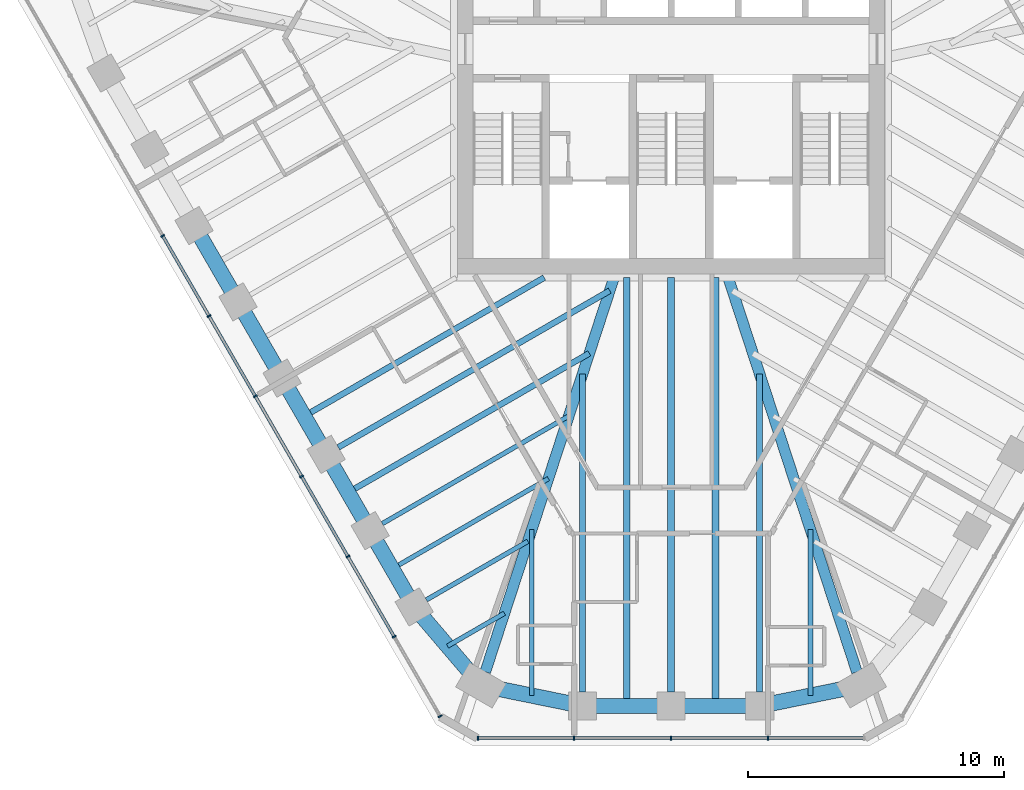
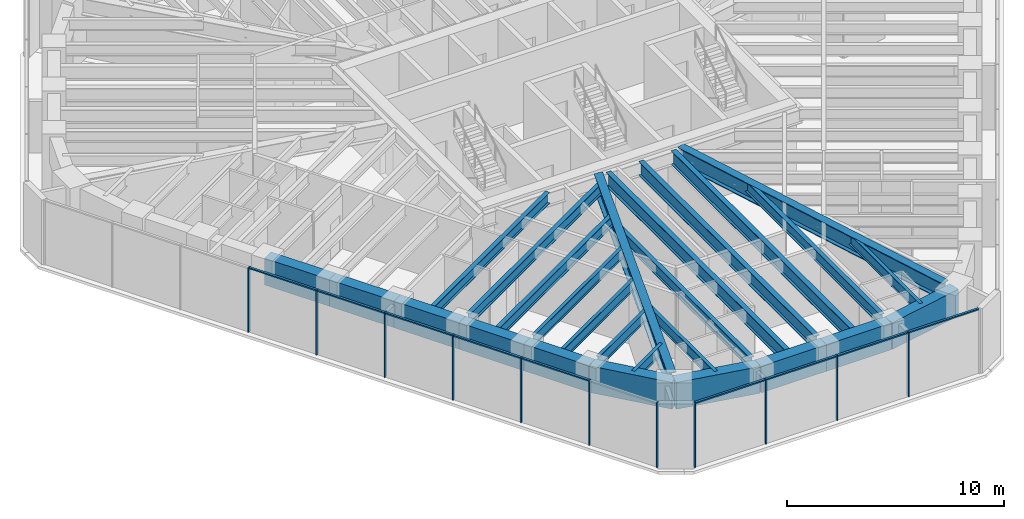
# One storey, part 2 of 14: 26 beams, 20 members, 2 elements without a shape of their own.
"""IFC4 building model written with IfcOpenShell, lengths in metres."""

import ifcopenshell
import ifcopenshell.guid

model = None  # the IFC model being written
_history = None  # IfcOwnerHistory: only IFC2X3 demands one
_inside = {}  # id of a spatial element -> (the spatial element, [elements in it])
_under = {}  # id of a project, library or spatial element -> (it, [spatial elements below it])
_declared = {}  # id of a project -> (the project, [libraries it declares])
_typed = {}  # id of a type object -> (the type object, [elements of that type])
_made_of = {}  # id of a material, layer set ... -> (it, [elements and type objects made of it])


def new_model(schema):
    """Start an empty IFC model of exactly this schema.

    Asked for "IFC4X3", IfcOpenShell would pick the latest addendum, in which some entities
    have other attributes; the version numbers below select the first issue.
    IFC2X3 requires an IfcOwnerHistory on every rooted entity: one is made here for all.
    """
    global model, _history
    if schema == "IFC4X3":
        model = ifcopenshell.file(schema_version=(4, 3, 0, 0))
    else:
        model = ifcopenshell.file(schema=schema)
    _inside.clear()
    _under.clear()
    _declared.clear()
    _typed.clear()
    _made_of.clear()
    _history = None
    if model.schema == "IFC2X3":
        org = make("IfcOrganization", Name="unknown")
        user = make(
            "IfcPersonAndOrganization",
            ThePerson=make("IfcPerson", FamilyName="unknown"),
            TheOrganization=org,
        )
        app = make(
            "IfcApplication",
            ApplicationDeveloper=org,
            Version="unknown",
            ApplicationFullName="unknown",
            ApplicationIdentifier="unknown",
        )
        _history = make(
            "IfcOwnerHistory",
            OwningUser=user,
            OwningApplication=app,
            ChangeAction="ADDED",
            CreationDate=0,
        )
    return model


def make(cls, **values):
    """One entity of the class cls with the attributes given. An attribute that is None is left unset."""
    return model.create_entity(
        cls, **{name: value for name, value in values.items() if value is not None}
    )


def rooted(cls, **values):
    """An entity with a GlobalId (a new one), such as an element, a storey or a relation."""
    return make(cls, GlobalId=ifcopenshell.guid.new(), OwnerHistory=_history, **values)


def si_unit(unit_type, name, prefix=None):
    """IfcSIUnit, for example si_unit("LENGTHUNIT", "METRE", prefix="MILLI")."""
    return make("IfcSIUnit", UnitType=unit_type, Prefix=prefix, Name=name)


def assignment(units):
    """IfcUnitAssignment: the units of a project."""
    return None if units is None else make("IfcUnitAssignment", Units=units)


def point(xyz):
    """IfcCartesianPoint."""
    return None if xyz is None else make("IfcCartesianPoint", Coordinates=xyz)


def direction(xyz):
    """IfcDirection."""
    return None if xyz is None else make("IfcDirection", DirectionRatios=xyz)


def frame(location, z_axis=None, x_axis=None):
    """IfcAxis2Placement3D, a coordinate frame: its origin and axes. An axis left out is left unset."""
    return make(
        "IfcAxis2Placement3D",
        Location=point(location),
        Axis=direction(z_axis),
        RefDirection=direction(x_axis),
    )


def frame_2d(location, x_axis=None):
    """IfcAxis2Placement2D, a coordinate frame in the plane: its origin and x axis."""
    return make(
        "IfcAxis2Placement2D", Location=point(location), RefDirection=direction(x_axis)
    )


def origin():
    """The frame at (0, 0, 0) with its axes left unset."""
    return frame((0.0, 0.0, 0.0))


def origin_2d():
    """The frame at (0, 0) in the plane with its x axis left unset."""
    return frame_2d((0.0, 0.0))


def place(relative_to, where):
    """IfcLocalPlacement: puts the frame where relative to a parent placement (None: the world)."""
    return make(
        "IfcLocalPlacement", PlacementRelTo=relative_to, RelativePlacement=where
    )


def context(
    kind, dimensions, precision=None, world=None, true_north=None, identifier=None
):
    """IfcGeometricRepresentationContext, for example the 3D "Model" context."""
    return make(
        "IfcGeometricRepresentationContext",
        ContextIdentifier=identifier,
        ContextType=kind,
        CoordinateSpaceDimension=dimensions,
        Precision=precision,
        WorldCoordinateSystem=world,
        TrueNorth=true_north,
    )


def subcontext(parent, identifier, kind, view, scale=None):
    """IfcGeometricRepresentationSubContext, for example "Body" below "Model"."""
    return make(
        "IfcGeometricRepresentationSubContext",
        ContextIdentifier=identifier,
        ContextType=kind,
        ParentContext=parent,
        TargetScale=scale,
        TargetView=view,
    )


def project(units=None, contexts=None):
    """IfcProject with its units and contexts."""
    return rooted(
        "IfcProject",
        Name="project",
        RepresentationContexts=contexts,
        UnitsInContext=assignment(units),
    )


def spatial(cls, under=None, at=None, **own):
    """A site, building, storey or space (cls), placed at a placement, below another one or the project."""
    s = rooted(cls, ObjectPlacement=at, **own)
    if under is not None:
        _under.setdefault(under.id(), (under, []))[1].append(s)
    return s


def profile(cls, at=None, kind="AREA", **sizes):
    """A parametric profile (cls). Its sizes go by their IFC names, for example OverallWidth=200.0."""
    return make(cls, ProfileType=kind, Position=at, **sizes)


def rectangle(**sizes):
    """IfcRectangleProfileDef."""
    return profile("IfcRectangleProfileDef", **sizes)


def i_section(**sizes):
    """IfcIShapeProfileDef."""
    return profile("IfcIShapeProfileDef", **sizes)


def extrude(swept, where, along, depth):
    """IfcExtrudedAreaSolid: the profile swept, set in the frame where, extruded along a direction by depth."""
    return make(
        "IfcExtrudedAreaSolid",
        SweptArea=swept,
        Position=where,
        ExtrudedDirection=direction(along),
        Depth=depth,
    )


def shape(context_of_items, identifier, shape_type, items):
    """IfcShapeRepresentation: the items that make up one representation, for example the "Body"."""
    return make(
        "IfcShapeRepresentation",
        ContextOfItems=context_of_items,
        RepresentationIdentifier=identifier,
        RepresentationType=shape_type,
        Items=items,
    )


def material(Name=None, Category=None):
    """IfcMaterial."""
    return make("IfcMaterial", Name=Name, Category=Category)


def material_profile(
    of_material, cross_section, Name=None, Category=None, Priority=None
):
    """IfcMaterialProfile: a cross section and its material."""
    return make(
        "IfcMaterialProfile",
        Name=Name,
        Material=of_material,
        Profile=cross_section,
        Priority=Priority,
        Category=Category,
    )


def profile_set(profiles, Name=None, composite=None):
    """IfcMaterialProfileSet."""
    return make(
        "IfcMaterialProfileSet",
        Name=Name,
        MaterialProfiles=profiles,
        CompositeProfile=composite,
    )


def made_of(thing, what):
    """Note that an element or type object is made of a material, layer set ...; save() writes the relation."""
    if what is not None:
        _made_of.setdefault(what.id(), (what, []))[1].append(thing)
    return thing


def type_object(cls, material=None, **own):
    """A type object (cls), such as IfcWallType, which elements share."""
    return made_of(rooted(cls, **own), material)


def element(
    cls,
    number,
    at=None,
    inside=None,
    cuts=None,
    type_object=None,
    material=None,
    context=None,
    identifier="Body",
    shape_type=None,
    held_by="IfcProductDefinitionShape",
    body=None,
    shapes=None,
    **own,
):
    """One element of the class cls, such as IfcWall. Its Tag is "e" and its number.

    at: its placement. inside: the storey or other place that contains it. cuts: it is an
    opening in that element (IfcRelVoidsElement). A single representation is given by context,
    identifier, shape_type and body (its items); several are given by shapes. held_by: the class
    of the entity that holds the representations. save() writes the other relations.
    """
    e = rooted(cls, Tag="e%d" % number, ObjectPlacement=at, **own)
    if body is not None:
        shapes = [shape(context, identifier, shape_type, body)]
    if shapes is not None:
        e.Representation = make(held_by, Representations=shapes)
    if inside is not None:
        _inside.setdefault(inside.id(), (inside, []))[1].append(e)
    if cuts is not None:
        rooted(
            "IfcRelVoidsElement", RelatingBuildingElement=cuts, RelatedOpeningElement=e
        )
    if type_object is not None:
        _typed.setdefault(type_object.id(), (type_object, []))[1].append(e)
    return made_of(e, material)


def aggregate(whole, parts):
    """IfcRelAggregates: a whole, such as a stair, and the parts it consists of."""
    return rooted("IfcRelAggregates", RelatingObject=whole, RelatedObjects=parts)


def save(model, path):
    """Write the relations noted so far, then the file.

    IfcRelAggregates (storeys below a building ...), IfcRelContainedInSpatialStructure (elements
    in a storey), IfcRelDefinesByType, IfcRelAssociatesMaterial and IfcRelDeclares: one each for
    every whole, place, type object, material and project.
    """
    for whole, parts in _under.values():
        aggregate(whole, parts)
    for where, things in _inside.values():
        rooted(
            "IfcRelContainedInSpatialStructure",
            RelatedElements=things,
            RelatingStructure=where,
        )
    for kind, things in _typed.values():
        rooted("IfcRelDefinesByType", RelatedObjects=things, RelatingType=kind)
    for what, things in _made_of.values():
        rooted("IfcRelAssociatesMaterial", RelatedObjects=things, RelatingMaterial=what)
    for by, libraries in _declared.values():
        rooted("IfcRelDeclares", RelatingContext=by, RelatedDefinitions=libraries)
    model.write(path)


model = new_model("IFC4")

# Units and contexts
model_context = context("Model", 3, precision=1e-05, world=origin(), true_north=direction((0.0, 1.0)))
body_context = subcontext(model_context, "Body", "Model", "MODEL_VIEW")
ifc_project = project(units=[si_unit("LENGTHUNIT", "METRE"), si_unit("AREAUNIT", "SQUARE_METRE"), si_unit("VOLUMEUNIT", "CUBIC_METRE"), si_unit("PLANEANGLEUNIT", "RADIAN"), si_unit("MASSUNIT", "GRAM", prefix="KILO")], contexts=[model_context])

# Site, building, storey
site_placement = place(None, origin())
site = spatial("IfcSite", under=ifc_project, at=site_placement, CompositionType="ELEMENT")
building_placement = place(site_placement, origin())
building = spatial("IfcBuilding", under=site, at=building_placement, Name="Sandreach Pilgrim Tower", CompositionType="ELEMENT")
storey_placement = place(building_placement, frame((0.0, 0.0, 264.60009765625)))
storey = spatial("IfcBuildingStorey", under=building, at=storey_placement, Name="L66", CompositionType="ELEMENT", Elevation=264.60009765625)

# Curtain wall, members
ifc_material_1 = material(Name="Aluminium framed curtain wall", Category="aluminium")
curtain_wall_type = type_object("IfcCurtainWallType", Name="Suite tower curtain wall", PredefinedType="NOTDEFINED", material=ifc_material_1)
curtain_wall_1_placement = place(storey_placement, origin())
curtain_wall_1 = element("IfcCurtainWall", 1, at=curtain_wall_1_placement, inside=storey, type_object=curtain_wall_type, Name="CW-4 L66 S", PredefinedType="NOTDEFINED")
ifc_material_2 = material(Name="Aluminium extrusion", Category="aluminium")
ifc_material_profile_1 = material_profile(ifc_material_2, rectangle(XDim=0.06005859375, YDim=0.159912109375, at=origin_2d()), Name="CW-4M 60X160")
ifc_profile_set_1 = profile_set([ifc_material_profile_1], Name="Aluminium extrusion")
member_type_1 = type_object("IfcMemberType", Name="CW-4 mullion", PredefinedType="MULLION", material=ifc_profile_set_1)
member_1_placement = place(storey_placement, frame((3.791748046875, -24.858154296875, 0.0), z_axis=(0.0, 0.0, 1.0), x_axis=(-1.0, 0.0, 0.0)))
member_1 = element("IfcMember", 2, at=member_1_placement, type_object=member_type_1, Name="CW-4 mullion 2", PredefinedType="MULLION", context=body_context, shape_type="SweptSolid", body=[
    extrude(rectangle(XDim=0.06005859375, YDim=0.159912109375, at=origin_2d()), origin(), (0.0, 0.0, 1.0), 3.639892578125),
])
member_2_placement = place(storey_placement, frame((0.0, -24.858154296875, 0.0), z_axis=(0.0, 0.0, 1.0), x_axis=(-1.0, 0.0, 0.0)))
member_2 = element("IfcMember", 3, at=member_2_placement, type_object=member_type_1, Name="CW-4 mullion 3", PredefinedType="MULLION", context=body_context, shape_type="SweptSolid", body=[
    extrude(rectangle(XDim=0.06005859375, YDim=0.159912109375, at=origin_2d()), origin(), (0.0, 0.0, 1.0), 3.639892578125),
])
member_3_placement = place(storey_placement, frame((-3.791748046875, -24.858154296875, 0.0), z_axis=(0.0, 0.0, 1.0), x_axis=(-1.0, 0.0, 0.0)))
member_3 = element("IfcMember", 4, at=member_3_placement, type_object=member_type_1, Name="CW-4 mullion 4", PredefinedType="MULLION", context=body_context, shape_type="SweptSolid", body=[
    extrude(rectangle(XDim=0.06005859375, YDim=0.159912109375, at=origin_2d()), origin(), (0.0, 0.0, 1.0), 3.639892578125),
])
member_4_placement = place(storey_placement, frame((-7.553466796875, -24.858154296875, 0.0), z_axis=(0.0, 0.0, 1.0), x_axis=(-1.0, 0.0, 0.0)))
member_4 = element("IfcMember", 5, at=member_4_placement, type_object=member_type_1, Name="CW-4 mullion 5", PredefinedType="MULLION", context=body_context, shape_type="SweptSolid", body=[
    extrude(rectangle(XDim=0.06005859375, YDim=0.159912109375, at=origin_2d()), origin(), (0.0, 0.0, 1.0), 3.639892578125),
])

curtain_wall_2_placement = place(storey_placement, origin())
curtain_wall_2 = element("IfcCurtainWall", 6, at=curtain_wall_2_placement, inside=storey, type_object=curtain_wall_type, Name="CW-4 L66 SW", PredefinedType="NOTDEFINED")
member_5_placement = place(storey_placement, frame((-9.035888671875, -24.001953125, 0.0), z_axis=(0.0, 0.0, 1.0), x_axis=(-0.5, 0.866025403784, 0.0)))
member_5 = element("IfcMember", 7, at=member_5_placement, type_object=member_type_1, Name="CW-4 mullion 1", PredefinedType="MULLION", context=body_context, shape_type="SweptSolid", body=[
    extrude(rectangle(XDim=0.06005859375, YDim=0.159912109375, at=origin_2d()), origin(), (0.0, 0.0, 1.0), 3.639892578125),
])
member_6_placement = place(storey_placement, frame((-10.83203125, -20.891357421875, 0.0), z_axis=(0.0, 0.0, 1.0), x_axis=(-0.5, 0.866025403784, 0.0)))
member_6 = element("IfcMember", 8, at=member_6_placement, type_object=member_type_1, Name="CW-4 mullion 2", PredefinedType="MULLION", context=body_context, shape_type="SweptSolid", body=[
    extrude(rectangle(XDim=0.06005859375, YDim=0.159912109375, at=origin_2d()), origin(), (0.0, 0.0, 1.0), 3.639892578125),
])
member_7_placement = place(storey_placement, frame((-12.642822265625, -17.7548828125, 0.0), z_axis=(0.0, 0.0, 1.0), x_axis=(-0.5, 0.866025403784, 0.0)))
member_7 = element("IfcMember", 9, at=member_7_placement, type_object=member_type_1, Name="CW-4 mullion 3", PredefinedType="MULLION", context=body_context, shape_type="SweptSolid", body=[
    extrude(rectangle(XDim=0.06005859375, YDim=0.159912109375, at=origin_2d()), origin(), (0.0, 0.0, 1.0), 3.639892578125),
])
member_8_placement = place(storey_placement, frame((-14.453857421875, -14.6181640625, 0.0), z_axis=(0.0, 0.0, 1.0), x_axis=(-0.5, 0.866025403784, 0.0)))
member_8 = element("IfcMember", 10, at=member_8_placement, type_object=member_type_1, Name="CW-4 mullion 4", PredefinedType="MULLION", context=body_context, shape_type="SweptSolid", body=[
    extrude(rectangle(XDim=0.06005859375, YDim=0.159912109375, at=origin_2d()), origin(), (0.0, 0.0, 1.0), 3.639892578125),
])
member_9_placement = place(storey_placement, frame((-16.2646484375, -11.4814453125, 0.0), z_axis=(0.0, 0.0, 1.0), x_axis=(-0.5, 0.866025403784, 0.0)))
member_9 = element("IfcMember", 11, at=member_9_placement, type_object=member_type_1, Name="CW-4 mullion 5", PredefinedType="MULLION", context=body_context, shape_type="SweptSolid", body=[
    extrude(rectangle(XDim=0.06005859375, YDim=0.159912109375, at=origin_2d()), origin(), (0.0, 0.0, 1.0), 3.639892578125),
])
member_10_placement = place(storey_placement, frame((-18.07568359375, -8.344970703125, 0.0), z_axis=(0.0, 0.0, 1.0), x_axis=(-0.5, 0.866025403784, 0.0)))
member_10 = element("IfcMember", 12, at=member_10_placement, type_object=member_type_1, Name="CW-4 mullion 6", PredefinedType="MULLION", context=body_context, shape_type="SweptSolid", body=[
    extrude(rectangle(XDim=0.06005859375, YDim=0.159912109375, at=origin_2d()), origin(), (0.0, 0.0, 1.0), 3.639892578125),
])
member_11_placement = place(storey_placement, frame((-19.886474609375, -5.208251953125, 0.0), z_axis=(0.0, 0.0, 1.0), x_axis=(-0.5, 0.866025403784, 0.0)))
member_11 = element("IfcMember", 13, at=member_11_placement, type_object=member_type_1, Name="CW-4 mullion 7", PredefinedType="MULLION", context=body_context, shape_type="SweptSolid", body=[
    extrude(rectangle(XDim=0.06005859375, YDim=0.159912109375, at=origin_2d()), origin(), (0.0, 0.0, 1.0), 3.639892578125),
])

# Member
ifc_material_3 = material(Name="Aluminium extrusion", Category="aluminium")
ifc_material_profile_2 = material_profile(ifc_material_3, rectangle(XDim=0.1201171875, YDim=0.070068359375, at=origin_2d()), Name="CW-4T 120X70")
ifc_profile_set_2 = profile_set([ifc_material_profile_2], Name="Aluminium extrusion")
member_type_2 = type_object("IfcMemberType", Name="CW-4 transom", PredefinedType="USERDEFINED", material=ifc_profile_set_2)
member_12_placement = place(storey_placement, frame((7.5234375, -24.858154296875, 3.60498046875), z_axis=(-1.0, 0.0, 0.0), x_axis=(0.0, -1.0, 0.0)))
member_12 = element("IfcMember", 14, at=member_12_placement, type_object=member_type_2, Name="CW-4 head transom 1", ObjectType="TRANSOM", PredefinedType="USERDEFINED", context=body_context, shape_type="SweptSolid", body=[
    extrude(rectangle(XDim=0.1201171875, YDim=0.070068359375, at=origin_2d()), origin(), (0.0, 0.0, 1.0), 3.70166015625),
])

member_13_placement = place(storey_placement, frame((3.76171875, -24.858154296875, 3.60498046875), z_axis=(-1.0, 0.0, 0.0), x_axis=(0.0, -1.0, 0.0)))
member_13 = element("IfcMember", 15, at=member_13_placement, type_object=member_type_2, Name="CW-4 head transom 2", ObjectType="TRANSOM", PredefinedType="USERDEFINED", context=body_context, shape_type="SweptSolid", body=[
    extrude(rectangle(XDim=0.1201171875, YDim=0.070068359375, at=origin_2d()), origin(), (0.0, 0.0, 1.0), 3.731689453125),
])

member_14_placement = place(storey_placement, frame((-0.030029296875, -24.858154296875, 3.60498046875), z_axis=(-1.0, 0.0, 0.0), x_axis=(0.0, -1.0, 0.0)))
member_14 = element("IfcMember", 16, at=member_14_placement, type_object=member_type_2, Name="CW-4 head transom 3", ObjectType="TRANSOM", PredefinedType="USERDEFINED", context=body_context, shape_type="SweptSolid", body=[
    extrude(rectangle(XDim=0.1201171875, YDim=0.070068359375, at=origin_2d()), origin(), (0.0, 0.0, 1.0), 3.731689453125),
])

member_15_placement = place(storey_placement, frame((-3.82177734375, -24.858154296875, 3.60498046875), z_axis=(-1.0, 0.0, 0.0), x_axis=(0.0, -1.0, 0.0)))
member_15 = element("IfcMember", 17, at=member_15_placement, type_object=member_type_2, Name="CW-4 head transom 4", ObjectType="TRANSOM", PredefinedType="USERDEFINED", context=body_context, shape_type="SweptSolid", body=[
    extrude(rectangle(XDim=0.1201171875, YDim=0.070068359375, at=origin_2d()), origin(), (0.0, 0.0, 1.0), 3.70166015625),
])

aggregate(curtain_wall_1, [member_1, member_2, member_3, member_4, member_12, member_13, member_14, member_15])

member_16_placement = place(storey_placement, frame((-10.846923828125, -20.865478515625, 3.60498046875), z_axis=(-0.500009219579, 0.866020080793, 0.0), x_axis=(-0.866020080793, -0.500009219579, 0.0)))
member_16 = element("IfcMember", 18, at=member_16_placement, type_object=member_type_2, Name="CW-4 head transom 2", ObjectType="TRANSOM", PredefinedType="USERDEFINED", context=body_context, shape_type="SweptSolid", body=[
    extrude(rectangle(XDim=0.1201171875, YDim=0.070068359375, at=origin_2d()), origin(), (0.0, 0.0, 1.0), 3.56201171875),
])

member_17_placement = place(storey_placement, frame((-12.657958984375, -17.728759765625, 3.60498046875), z_axis=(-0.499957811549, 0.866049759928, 0.0), x_axis=(-0.866049759928, -0.499957811549, 0.0)))
member_17 = element("IfcMember", 19, at=member_17_placement, type_object=member_type_2, Name="CW-4 head transom 3", ObjectType="TRANSOM", PredefinedType="USERDEFINED", context=body_context, shape_type="SweptSolid", body=[
    extrude(rectangle(XDim=0.1201171875, YDim=0.070068359375, at=origin_2d()), origin(), (0.0, 0.0, 1.0), 3.561767578125),
])

member_18_placement = place(storey_placement, frame((-14.46875, -14.59228515625, 3.60498046875), z_axis=(-0.500009219579, 0.866020080793, 0.0), x_axis=(-0.866020080793, -0.500009219579, 0.0)))
member_18 = element("IfcMember", 20, at=member_18_placement, type_object=member_type_2, Name="CW-4 head transom 4", ObjectType="TRANSOM", PredefinedType="USERDEFINED", context=body_context, shape_type="SweptSolid", body=[
    extrude(rectangle(XDim=0.1201171875, YDim=0.070068359375, at=origin_2d()), origin(), (0.0, 0.0, 1.0), 3.56201171875),
])

member_19_placement = place(storey_placement, frame((-16.27978515625, -11.45556640625, 3.60498046875), z_axis=(-0.499957811549, 0.866049759928, 0.0), x_axis=(-0.866049759928, -0.499957811549, 0.0)))
member_19 = element("IfcMember", 21, at=member_19_placement, type_object=member_type_2, Name="CW-4 head transom 5", ObjectType="TRANSOM", PredefinedType="USERDEFINED", context=body_context, shape_type="SweptSolid", body=[
    extrude(rectangle(XDim=0.1201171875, YDim=0.070068359375, at=origin_2d()), origin(), (0.0, 0.0, 1.0), 3.561767578125),
])

member_20_placement = place(storey_placement, frame((-18.090576171875, -8.31884765625, 3.60498046875), z_axis=(-0.500038900691, 0.866002943295, 0.0), x_axis=(-0.866002943295, -0.500038900691, 0.0)))
member_20 = element("IfcMember", 22, at=member_20_placement, type_object=member_type_2, Name="CW-4 head transom 6", ObjectType="TRANSOM", PredefinedType="USERDEFINED", context=body_context, shape_type="SweptSolid", body=[
    extrude(rectangle(XDim=0.1201171875, YDim=0.070068359375, at=origin_2d()), origin(), (0.0, 0.0, 1.0), 3.561767578125),
])

aggregate(curtain_wall_2, [member_5, member_6, member_7, member_8, member_9, member_10, member_11, member_16, member_17, member_18, member_19, member_20])

# Beams
ifc_material_4 = material(Name="Steel ASTM A992 Grade 50", Category="steel")
ifc_material_profile_3 = material_profile(ifc_material_4, i_section(OverallWidth=0.421630859375, OverallDepth=0.937255859375, WebThickness=0.0224609375, FlangeThickness=0.039794921875, at=origin_2d()), Name="W36X282")
ifc_profile_set_3 = profile_set([ifc_material_profile_3], Name="Steel ASTM A992 Grade 50")
beam_type_1 = type_object("IfcBeamType", Name="Corner girder W36X282", PredefinedType="BEAM", material=ifc_profile_set_3)
for number, where, z_axis, x_axis, name in (
    (23, (7.268310546875, -22.2666015625, 3.17138671875), (-0.310308570047, 0.950635887896, 0.0), (-0.950635887896, -0.310308570047, 0.0), "BM L66 CG22"),
    (24, (-7.268310546875, -22.2666015625, 3.17138671875), (0.310308570047, 0.950635887896, 0.0), (-0.950635887896, 0.310308570047, 0.0), "BM L66 CG26"),
):
    element("IfcBeam", number, at=place(storey_placement, frame(where, z_axis=z_axis, x_axis=x_axis)), inside=storey, type_object=beam_type_1, Name=name, PredefinedType="BEAM", context=body_context, shape_type="SweptSolid", body=[
        extrude(i_section(OverallWidth=0.421630859375, OverallDepth=0.937255859375, WebThickness=0.0224609375, FlangeThickness=0.039794921875, at=origin_2d()), origin(), (0.0, 0.0, 1.0), 16.375),
    ])
ifc_material_5 = material(Name="Steel ASTM A992 Grade 50", Category="steel")
ifc_material_profile_4 = material_profile(ifc_material_5, i_section(OverallWidth=0.1787109375, OverallDepth=0.60205078125, WebThickness=0.010986328125, FlangeThickness=0.014892578125, at=origin_2d()), Name="W24X62")
ifc_profile_set_4 = profile_set([ifc_material_profile_4], Name="Steel ASTM A992 Grade 50")
beam_type_2 = type_object("IfcBeamType", Name="Floor beam W24X62", PredefinedType="BEAM", material=ifc_profile_set_4)
beam_1_placement = place(storey_placement, frame((-9.573974609375, -19.450439453125, 3.3388671875), z_axis=(0.866024320471, 0.50000187635, 0.0), x_axis=(-0.50000187635, 0.866024320471, 0.0)))
element("IfcBeam", 25, at=beam_1_placement, inside=storey, type_object=beam_type_2, Name="BM L66 F27", PredefinedType="BEAM", context=body_context, shape_type="SweptSolid", body=[
    extrude(i_section(OverallWidth=0.1787109375, OverallDepth=0.60205078125, WebThickness=0.010986328125, FlangeThickness=0.014892578125, at=origin_2d()), origin(), (0.0, 0.0, 1.0), 4.58837890625),
])
beam_2_placement = place(storey_placement, frame((-11.29638671875, -16.466796875, 3.3388671875), z_axis=(0.866026819143, 0.499997548519, 0.0), x_axis=(-0.499997548519, 0.866026819143, 0.0)))
element("IfcBeam", 26, at=beam_2_placement, inside=storey, type_object=beam_type_2, Name="BM L66 F28", PredefinedType="BEAM", context=body_context, shape_type="SweptSolid", body=[
    extrude(i_section(OverallWidth=0.1787109375, OverallDepth=0.60205078125, WebThickness=0.010986328125, FlangeThickness=0.014892578125, at=origin_2d()), origin(), (0.0, 0.0, 1.0), 8.4248046875),
])
for number, where, z_axis, x_axis, name in (
    (27, (5.452392578125, -23.19384765625, 3.3388671875), (0.0, 1.0, 0.0), (-1.0, 0.0, 0.0), "BM L66 FM22"),
    (28, (-5.452392578125, -23.19384765625, 3.3388671875), (0.0, 1.0, 0.0), (-1.0, 0.0, 0.0), "BM L66 FM25"),
):
    element("IfcBeam", number, at=place(storey_placement, frame(where, z_axis=z_axis, x_axis=x_axis)), inside=storey, type_object=beam_type_2, Name=name, PredefinedType="BEAM", context=body_context, shape_type="SweptSolid", body=[
        extrude(i_section(OverallWidth=0.1787109375, OverallDepth=0.60205078125, WebThickness=0.010986328125, FlangeThickness=0.014892578125, at=origin_2d()), origin(), (0.0, 0.0, 1.0), 6.49072265625),
    ])
beam_3_placement = place(storey_placement, frame((-8.74462890625, -21.25732421875, 3.3388671875), z_axis=(0.866041575714, 0.49997198835, 0.0), x_axis=(-0.49997198835, 0.866041575714, 0.0)))
element("IfcBeam", 29, at=beam_3_placement, inside=storey, type_object=beam_type_2, Name="BM L66 FM26", PredefinedType="BEAM", context=body_context, shape_type="SweptSolid", body=[
    extrude(i_section(OverallWidth=0.1787109375, OverallDepth=0.60205078125, WebThickness=0.010986328125, FlangeThickness=0.014892578125, at=origin_2d()), origin(), (0.0, 0.0, 1.0), 2.569091796875),
])
beam_4_placement = place(storey_placement, frame((-10.911376953125, -18.233642578125, 3.3388671875), z_axis=(0.866020229007, 0.50000896287, 0.0), x_axis=(-0.50000896287, 0.866020229007, 0.0)))
element("IfcBeam", 30, at=beam_4_placement, inside=storey, type_object=beam_type_2, Name="BM L66 FM27", PredefinedType="BEAM", context=body_context, shape_type="SweptSolid", body=[
    extrude(i_section(OverallWidth=0.1787109375, OverallDepth=0.60205078125, WebThickness=0.010986328125, FlangeThickness=0.014892578125, at=origin_2d()), origin(), (0.0, 0.0, 1.0), 7.056396484375),
])
ifc_material_6 = material(Name="Steel ASTM A992 Grade 50", Category="steel")
ifc_material_profile_5 = material_profile(ifc_material_6, i_section(OverallWidth=0.23046875, OverallDepth=0.6171875, WebThickness=0.01318359375, FlangeThickness=0.022216796875, at=origin_2d()), Name="W24X94")
ifc_profile_set_5 = profile_set([ifc_material_profile_5], Name="Steel ASTM A992 Grade 50")
beam_type_3 = type_object("IfcBeamType", Name="Floor beam W24X94", PredefinedType="BEAM", material=ifc_profile_set_5)
for number, where, z_axis, x_axis, name in (
    (31, (3.465576171875, -23.048095703125, 3.331298828125), (0.0, 1.0, 0.0), (-1.0, 0.0, 0.0), "BM L66 F23"),
    (32, (-3.465576171875, -23.048095703125, 3.331298828125), (0.0, 1.0, 0.0), (-1.0, 0.0, 0.0), "BM L66 F25"),
):
    element("IfcBeam", number, at=place(storey_placement, frame(where, z_axis=z_axis, x_axis=x_axis)), inside=storey, type_object=beam_type_3, Name=name, PredefinedType="BEAM", context=body_context, shape_type="SweptSolid", body=[
        extrude(i_section(OverallWidth=0.23046875, OverallDepth=0.6171875, WebThickness=0.01318359375, FlangeThickness=0.022216796875, at=origin_2d()), origin(), (0.0, 0.0, 1.0), 12.431396484375),
    ])
beam_5_placement = place(storey_placement, frame((-13.018798828125, -13.4833984375, 3.331298828125), z_axis=(0.866019132277, 0.500010862412, 0.0), x_axis=(-0.500010862412, 0.866019132277, 0.0)))
element("IfcBeam", 33, at=beam_5_placement, inside=storey, type_object=beam_type_3, Name="BM L66 F29", PredefinedType="BEAM", context=body_context, shape_type="SweptSolid", body=[
    extrude(i_section(OverallWidth=0.23046875, OverallDepth=0.6171875, WebThickness=0.01318359375, FlangeThickness=0.022216796875, at=origin_2d()), origin(), (0.0, 0.0, 1.0), 12.261474609375),
])
beam_6_placement = place(storey_placement, frame((-12.634033203125, -15.250244140625, 3.331298828125), z_axis=(0.866019500887, 0.500010223979, 0.0), x_axis=(-0.500010223979, 0.866019500887, 0.0)))
element("IfcBeam", 34, at=beam_6_placement, inside=storey, type_object=beam_type_3, Name="BM L66 FM28", PredefinedType="BEAM", context=body_context, shape_type="SweptSolid", body=[
    extrude(i_section(OverallWidth=0.23046875, OverallDepth=0.6171875, WebThickness=0.01318359375, FlangeThickness=0.022216796875, at=origin_2d()), origin(), (0.0, 0.0, 1.0), 10.893310546875),
])
beam_7_placement = place(storey_placement, frame((-14.3564453125, -12.2666015625, 3.331298828125), z_axis=(0.866026660645, 0.499997823047, 0.0), x_axis=(-0.499997823047, 0.866026660645, 0.0)))
element("IfcBeam", 35, at=beam_7_placement, inside=storey, type_object=beam_type_3, Name="BM L66 FM29", PredefinedType="BEAM", context=body_context, shape_type="SweptSolid", body=[
    extrude(i_section(OverallWidth=0.23046875, OverallDepth=0.6171875, WebThickness=0.01318359375, FlangeThickness=0.022216796875, at=origin_2d()), origin(), (0.0, 0.0, 1.0), 10.8466796875),
])
ifc_material_7 = material(Name="Steel ASTM A992 Grade 50", Category="steel")
ifc_material_profile_6 = material_profile(ifc_material_7, i_section(OverallWidth=0.2666015625, OverallDepth=0.77978515625, WebThickness=0.0166015625, FlangeThickness=0.030029296875, at=origin_2d()), Name="W30X148")
ifc_profile_set_6 = profile_set([ifc_material_profile_6], Name="Steel ASTM A992 Grade 50")
beam_type_4 = type_object("IfcBeamType", Name="Floor beam W30X148", PredefinedType="BEAM", material=ifc_profile_set_6)
beam_8_placement = place(storey_placement, frame((0.0, -23.048095703125, 3.25), z_axis=(0.0, 1.0, 0.0), x_axis=(-1.0, 0.0, 0.0)))
element("IfcBeam", 36, at=beam_8_placement, inside=storey, type_object=beam_type_4, Name="BM L66 F24", PredefinedType="BEAM", context=body_context, shape_type="SweptSolid", body=[
    extrude(i_section(OverallWidth=0.2666015625, OverallDepth=0.77978515625, WebThickness=0.0166015625, FlangeThickness=0.030029296875, at=origin_2d()), origin(), (0.0, 0.0, 1.0), 16.204833984375),
])
for number, where, z_axis, x_axis, name in (
    (37, (1.732666015625, -23.59814453125, 3.25), (0.0, 1.0, 0.0), (-1.0, 0.0, 0.0), "BM L66 FM23"),
    (38, (-1.732666015625, -23.59814453125, 3.25), (0.0, 1.0, 0.0), (-1.0, 0.0, 0.0), "BM L66 FM24"),
):
    element("IfcBeam", number, at=place(storey_placement, frame(where, z_axis=z_axis, x_axis=x_axis)), inside=storey, type_object=beam_type_4, Name=name, PredefinedType="BEAM", context=body_context, shape_type="SweptSolid", body=[
        extrude(i_section(OverallWidth=0.2666015625, OverallDepth=0.77978515625, WebThickness=0.0166015625, FlangeThickness=0.030029296875, at=origin_2d()), origin(), (0.0, 0.0, 1.0), 16.7548828125),
    ])
ifc_material_8 = material(Name="Concrete 10000 psi", Category="concrete")
ifc_material_profile_7 = material_profile(ifc_material_8, rectangle(XDim=0.60009765625, YDim=1.5, at=origin_2d()), Name="RC600X1500")
ifc_profile_set_7 = profile_set([ifc_material_profile_7], Name="Concrete 10000 psi")
beam_type_5 = type_object("IfcBeamType", Name="Spandrel beam RC600X1500", PredefinedType="SPANDREL", material=ifc_profile_set_7)
beam_9_placement = place(storey_placement, frame((7.439208984375, -22.78955078125, 2.889892578125), z_axis=(-0.979917524616, -0.199403222016, 0.0), x_axis=(0.199403222016, -0.979917524616, 0.0)))
element("IfcBeam", 39, at=beam_9_placement, inside=storey, type_object=beam_type_5, Name="BM L66 SP22", PredefinedType="SPANDREL", context=body_context, shape_type="SweptSolid", body=[
    extrude(rectangle(XDim=0.60009765625, YDim=1.5, at=origin_2d()), origin(), (0.0, 0.0, 1.0), 4.05517578125),
])
for number, where, z_axis, x_axis, name in (
    (40, (3.465576171875, -23.59814453125, 2.889892578125), (-1.0, 0.0, 0.0), (0.0, -1.0, 0.0), "BM L66 SP23"),
    (41, (0.0, -23.59814453125, 2.889892578125), (-1.0, 0.0, 0.0), (0.0, -1.0, 0.0), "BM L66 SP24"),
):
    element("IfcBeam", number, at=place(storey_placement, frame(where, z_axis=z_axis, x_axis=x_axis)), inside=storey, type_object=beam_type_5, Name=name, PredefinedType="SPANDREL", context=body_context, shape_type="SweptSolid", body=[
        extrude(rectangle(XDim=0.60009765625, YDim=1.5, at=origin_2d()), origin(), (0.0, 0.0, 1.0), 3.465576171875),
    ])
beam_10_placement = place(storey_placement, frame((-3.465576171875, -23.59814453125, 2.889892578125), z_axis=(-0.979917524616, 0.199403222016, 0.0), x_axis=(-0.199403222016, -0.979917524616, 0.0)))
element("IfcBeam", 42, at=beam_10_placement, inside=storey, type_object=beam_type_5, Name="BM L66 SP25", PredefinedType="SPANDREL", context=body_context, shape_type="SweptSolid", body=[
    extrude(rectangle(XDim=0.60009765625, YDim=1.5, at=origin_2d()), origin(), (0.0, 0.0, 1.0), 4.05517578125),
])
beam_11_placement = place(storey_placement, frame((-7.439208984375, -22.78955078125, 2.889892578125), z_axis=(-0.648586192707, 0.761141215958, 0.0), x_axis=(-0.761141215958, -0.648586192707, 0.0)))
element("IfcBeam", 43, at=beam_11_placement, inside=storey, type_object=beam_type_5, Name="BM L66 SP26", PredefinedType="SPANDREL", context=body_context, shape_type="SweptSolid", body=[
    extrude(rectangle(XDim=0.60009765625, YDim=1.5, at=origin_2d()), origin(), (0.0, 0.0, 1.0), 4.02587890625),
])
for number, where, z_axis, x_axis, name in (
    (44, (-10.05029296875, -19.725341796875, 2.889892578125), (-0.499988291006, 0.866032163869, 0.0), (-0.866032163869, -0.499988291006, 0.0), "BM L66 SP27"),
    (45, (-11.772705078125, -16.741943359375, 2.889892578125), (-0.499988291006, 0.866032163869, 0.0), (-0.866032163869, -0.499988291006, 0.0), "BM L66 SP28"),
):
    element("IfcBeam", number, at=place(storey_placement, frame(where, z_axis=z_axis, x_axis=x_axis)), inside=storey, type_object=beam_type_5, Name=name, PredefinedType="SPANDREL", context=body_context, shape_type="SweptSolid", body=[
        extrude(rectangle(XDim=0.60009765625, YDim=1.5, at=origin_2d()), origin(), (0.0, 0.0, 1.0), 3.44482421875),
    ])
beam_12_placement = place(storey_placement, frame((-13.4951171875, -13.758544921875, 2.889892578125), z_axis=(-0.500010754882, 0.866019194361, 0.0), x_axis=(-0.866019194361, -0.500010754882, 0.0)))
element("IfcBeam", 46, at=beam_12_placement, inside=storey, type_object=beam_type_5, Name="BM L66 SP29", PredefinedType="SPANDREL", context=body_context, shape_type="SweptSolid", body=[
    extrude(rectangle(XDim=0.60009765625, YDim=1.5, at=origin_2d()), origin(), (0.0, 0.0, 1.0), 3.4453125),
])
beam_13_placement = place(storey_placement, frame((-15.2177734375, -10.77490234375, 2.889892578125), z_axis=(-0.499988291006, 0.866032163869, 0.0), x_axis=(-0.866032163869, -0.499988291006, 0.0)))
element("IfcBeam", 47, at=beam_13_placement, inside=storey, type_object=beam_type_5, Name="BM L66 SP30", PredefinedType="SPANDREL", context=body_context, shape_type="SweptSolid", body=[
    extrude(rectangle(XDim=0.60009765625, YDim=1.5, at=origin_2d()), origin(), (0.0, 0.0, 1.0), 3.44482421875),
])
beam_14_placement = place(storey_placement, frame((-16.940185546875, -7.79150390625, 2.889892578125), z_axis=(-0.500041441558, 0.866001476168, 0.0), x_axis=(-0.866001476168, -0.500041441558, 0.0)))
element("IfcBeam", 48, at=beam_14_placement, inside=storey, type_object=beam_type_5, Name="BM L66 SP31", PredefinedType="SPANDREL", context=body_context, shape_type="SweptSolid", body=[
    extrude(rectangle(XDim=0.60009765625, YDim=1.5, at=origin_2d()), origin(), (0.0, 0.0, 1.0), 3.445068359375),
])

save(model, "model.ifc")
